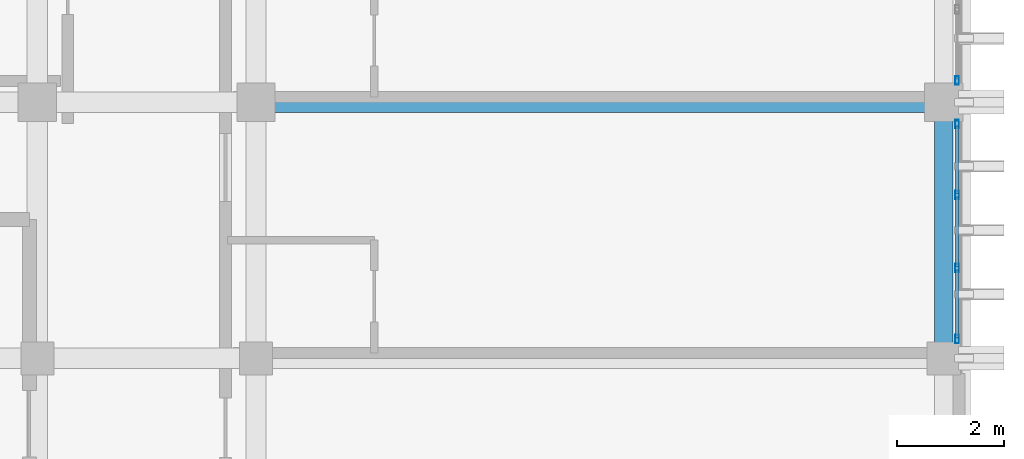
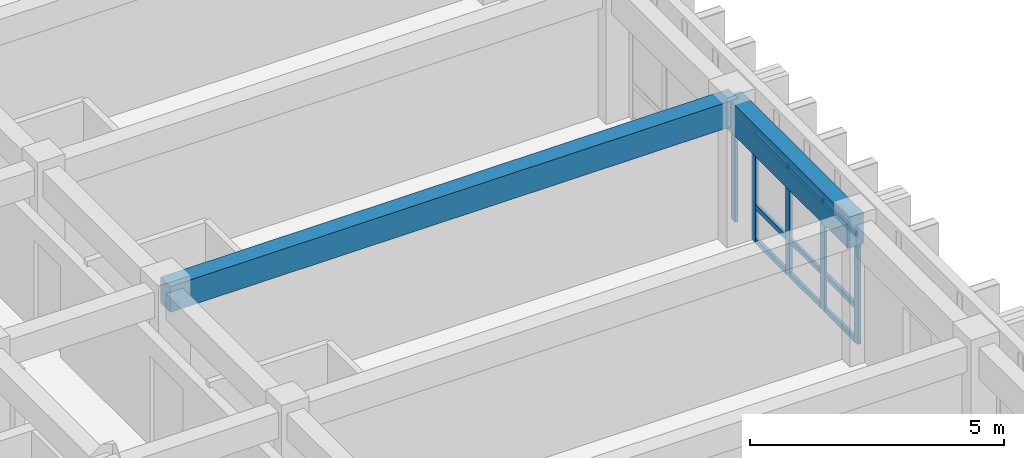
# One storey, part 29 of 59: 14 members, 2 beams, 2 elements without a shape of their own.
"""IFC4 building model written with IfcOpenShell, lengths in metres."""

from ifc_helpers import new_model, si_unit, direction, frame, origin, origin_2d, place, context, subcontext, project, spatial, rectangle, hollow_rectangle, extrude, material, layer, layer_set, material_profile, profile_set, type_object, element, aggregate, save


model = new_model("IFC4")

# Units and contexts
model_context = context("Model", 3, precision=1e-05, world=origin(), true_north=direction((0.0, 1.0)))
body_context = subcontext(model_context, "Body", "Model", "MODEL_VIEW")
ifc_project = project(units=[si_unit("LENGTHUNIT", "METRE"), si_unit("AREAUNIT", "SQUARE_METRE"), si_unit("VOLUMEUNIT", "CUBIC_METRE"), si_unit("PLANEANGLEUNIT", "RADIAN"), si_unit("MASSUNIT", "GRAM", prefix="KILO")], contexts=[model_context])

# Site, building, storey
site_placement = place(None, origin())
site = spatial("IfcSite", under=ifc_project, at=site_placement, CompositionType="ELEMENT")
building_placement = place(site_placement, origin())
building = spatial("IfcBuilding", under=site, at=building_placement, Name="Nakhvara Creek Congress Hotel", CompositionType="ELEMENT")
storey_placement = place(building_placement, frame((0.0, 0.0, 31.800048828125)))
storey = spatial("IfcBuildingStorey", under=building, at=storey_placement, Name="L07", CompositionType="ELEMENT", Elevation=31.800048828125)

# Beams
ifc_material_1 = material(Name="Concrete C40/50", Category="concrete")
ifc_material_profile_1 = material_profile(ifc_material_1, rectangle(XDim=0.3798828125, YDim=0.6201171875, at=origin_2d()), Name="RC-BM 380x620", Category="LoadBearing")
ifc_profile_set_1 = profile_set([ifc_material_profile_1], Name="Concrete C40/50")
beam_type_1 = type_object("IfcBeamType", Name="BM-RC-380X620", PredefinedType="BEAM", material=ifc_profile_set_1)
beam_1_placement = place(storey_placement, frame((166.449951171875, 96.0, 3.050048828125), z_axis=(1.0, 0.0, 0.0), x_axis=(0.0, 1.0, 0.0)))
element("IfcBeam", 1, at=beam_1_placement, inside=storey, type_object=beam_type_1, Name="Beam B10-L07-2380", PredefinedType="BEAM", context=body_context, shape_type="SweptSolid", body=[
    extrude(rectangle(XDim=0.3798828125, YDim=0.6201171875, at=origin_2d()), origin(), (0.0, 0.0, 1.0), 12.900146484375),
])
ifc_material_profile_2 = material_profile(ifc_material_1, rectangle(XDim=0.35009765625, YDim=0.75, at=origin_2d()), Name="RC-SPANDREL 350x750", Category="LoadBearing")
ifc_profile_set_2 = profile_set([ifc_material_profile_2], Name="Concrete C40/50")
beam_type_2 = type_object("IfcBeamType", Name="BM-SPN-350X750", PredefinedType="SPANDREL", material=ifc_profile_set_2)
beam_2_placement = place(storey_placement, frame((179.35009765625, 91.199951171875, 2.98486328125), z_axis=(0.0, 1.0, 0.0), x_axis=(-1.0, 0.0, 0.0)))
element("IfcBeam", 2, at=beam_2_placement, inside=storey, type_object=beam_type_2, Name="Beam SP1-L07-2400", PredefinedType="SPANDREL", context=body_context, shape_type="SweptSolid", body=[
    extrude(rectangle(XDim=0.35009765625, YDim=0.75, at=origin_2d()), origin(), (0.0, 0.0, 1.0), 4.800048828125),
])

# Curtain wall, members
ifc_material_2 = material(Name="Bronze-anodised aluminium AW-6063-T6 and double-silver low-E glass", Category="aluminium")
ifc_layer = layer(ifc_material_2, 0.199951171875)
ifc_layer_set = layer_set([ifc_layer], Name="Bronze-anodised aluminium AW-6063-T6 and double-silver low-E glass")
curtain_wall_type = type_object("IfcCurtainWallType", Name="CW-HTL-UNIT", PredefinedType="USERDEFINED", material=ifc_layer_set)
curtain_wall_1_placement = place(storey_placement, origin())
curtain_wall_1 = element("IfcCurtainWall", 3, at=curtain_wall_1_placement, inside=storey, type_object=curtain_wall_type, Name="Curtain Wall CW265", ObjectType="UNITISED", PredefinedType="USERDEFINED")
ifc_material_3 = material(Name="Bronze-anodised aluminium AW-6063-T6", Category="aluminium")
ifc_material_profile_3 = material_profile(ifc_material_3, hollow_rectangle(XDim=0.06494140625, YDim=0.159912109375, WallThickness=0.00390625, at=origin_2d()), Name="ALU-MULL 65x160x4", Category="LoadBearing")
ifc_profile_set_3 = profile_set([ifc_material_profile_3], Name="Bronze-anodised aluminium AW-6063-T6")
member_type_1 = type_object("IfcMemberType", Name="CW-MULL-160", PredefinedType="MULLION", material=ifc_profile_set_3)
member_1_placement = place(storey_placement, frame((179.60009765625, 95.592529296875, 0.0), z_axis=(0.0, 0.0, 1.0), x_axis=(1.0, 0.0, 0.0)))
member_1 = element("IfcMember", 4, at=member_1_placement, type_object=member_type_1, Name="CW265 mullion 1", PredefinedType="MULLION", context=body_context, shape_type="SweptSolid", body=[
    extrude(hollow_rectangle(XDim=0.06494140625, YDim=0.159912109375, WallThickness=0.00390625, at=origin_2d()), origin(), (0.0, 0.0, 1.0), 2.60205078125),
])
member_2_placement = place(storey_placement, frame((179.60009765625, 94.25830078125, 0.0), z_axis=(0.0, 0.0, 1.0), x_axis=(1.0, 0.0, 0.0)))
member_2 = element("IfcMember", 5, at=member_2_placement, type_object=member_type_1, Name="CW265 mullion 2", PredefinedType="MULLION", context=body_context, shape_type="SweptSolid", body=[
    extrude(hollow_rectangle(XDim=0.06494140625, YDim=0.159912109375, WallThickness=0.00390625, at=origin_2d()), origin(), (0.0, 0.0, 1.0), 2.60205078125),
])
member_3_placement = place(storey_placement, frame((179.60009765625, 92.8916015625, 0.0), z_axis=(0.0, 0.0, 1.0), x_axis=(1.0, 0.0, 0.0)))
member_3 = element("IfcMember", 6, at=member_3_placement, type_object=member_type_1, Name="CW265 mullion 3", PredefinedType="MULLION", context=body_context, shape_type="SweptSolid", body=[
    extrude(hollow_rectangle(XDim=0.06494140625, YDim=0.159912109375, WallThickness=0.00390625, at=origin_2d()), origin(), (0.0, 0.0, 1.0), 2.60205078125),
])
member_4_placement = place(storey_placement, frame((179.60009765625, 91.5576171875, 0.0), z_axis=(0.0, 0.0, 1.0), x_axis=(1.0, 0.0, 0.0)))
member_4 = element("IfcMember", 7, at=member_4_placement, type_object=member_type_1, Name="CW265 mullion 4", PredefinedType="MULLION", context=body_context, shape_type="SweptSolid", body=[
    extrude(hollow_rectangle(XDim=0.06494140625, YDim=0.159912109375, WallThickness=0.00390625, at=origin_2d()), origin(), (0.0, 0.0, 1.0), 2.60205078125),
])

# Curtain wall, member
curtain_wall_2_placement = place(storey_placement, origin())
curtain_wall_2 = element("IfcCurtainWall", 8, at=curtain_wall_2_placement, inside=storey, type_object=curtain_wall_type, Name="Curtain Wall CW267", ObjectType="UNITISED", PredefinedType="USERDEFINED")
member_5_placement = place(storey_placement, frame((179.60009765625, 96.407470703125, 0.0), z_axis=(0.0, 0.0, 1.0), x_axis=(1.0, 0.0, 0.0)))
member_5 = element("IfcMember", 9, at=member_5_placement, type_object=member_type_1, Name="CW267 mullion 4", PredefinedType="MULLION", context=body_context, shape_type="SweptSolid", body=[
    extrude(hollow_rectangle(XDim=0.06494140625, YDim=0.159912109375, WallThickness=0.00390625, at=origin_2d()), origin(), (0.0, 0.0, 1.0), 2.60205078125),
])
aggregate(curtain_wall_2, [member_5])

# Member
ifc_material_profile_4 = material_profile(ifc_material_3, hollow_rectangle(XDim=0.06494140625, YDim=0.1201171875, WallThickness=0.00390625, at=origin_2d()), Name="ALU-TRAN 65x120x4", Category="LoadBearing")
ifc_profile_set_4 = profile_set([ifc_material_profile_4], Name="Bronze-anodised aluminium AW-6063-T6")
member_type_2 = type_object("IfcMemberType", Name="CW-TRAN-120", PredefinedType="USERDEFINED", material=ifc_profile_set_4)
member_6_placement = place(storey_placement, frame((179.60009765625, 95.56005859375, 0.032470703125), z_axis=(0.0, -1.0, 0.0), x_axis=(1.0, 0.0, 0.0)))
member_6 = element("IfcMember", 10, at=member_6_placement, type_object=member_type_2, Name="CW265 transom 1.1", ObjectType="TRANSOM", PredefinedType="USERDEFINED", context=body_context, shape_type="SweptSolid", body=[
    extrude(hollow_rectangle(XDim=0.06494140625, YDim=0.1201171875, WallThickness=0.00390625, at=origin_2d()), origin(), (0.0, 0.0, 1.0), 1.269287109375),
])

member_7_placement = place(storey_placement, frame((179.60009765625, 95.56005859375, 0.849853515625), z_axis=(0.0, -1.0, 0.0), x_axis=(1.0, 0.0, 0.0)))
member_7 = element("IfcMember", 11, at=member_7_placement, type_object=member_type_2, Name="CW265 transom 1.2", ObjectType="TRANSOM", PredefinedType="USERDEFINED", context=body_context, shape_type="SweptSolid", body=[
    extrude(hollow_rectangle(XDim=0.06494140625, YDim=0.1201171875, WallThickness=0.00390625, at=origin_2d()), origin(), (0.0, 0.0, 1.0), 1.269287109375),
])

member_8_placement = place(storey_placement, frame((179.60009765625, 95.56005859375, 2.5693359375), z_axis=(0.0, -1.0, 0.0), x_axis=(1.0, 0.0, 0.0)))
member_8 = element("IfcMember", 12, at=member_8_placement, type_object=member_type_2, Name="CW265 transom 1.3", ObjectType="TRANSOM", PredefinedType="USERDEFINED", context=body_context, shape_type="SweptSolid", body=[
    extrude(hollow_rectangle(XDim=0.06494140625, YDim=0.1201171875, WallThickness=0.00390625, at=origin_2d()), origin(), (0.0, 0.0, 1.0), 1.269287109375),
])

member_9_placement = place(storey_placement, frame((179.60009765625, 94.225830078125, 0.032470703125), z_axis=(0.0, -1.0, 0.0), x_axis=(1.0, 0.0, 0.0)))
member_9 = element("IfcMember", 13, at=member_9_placement, type_object=member_type_2, Name="CW265 transom 2.1", ObjectType="TRANSOM", PredefinedType="USERDEFINED", context=body_context, shape_type="SweptSolid", body=[
    extrude(hollow_rectangle(XDim=0.06494140625, YDim=0.1201171875, WallThickness=0.00390625, at=origin_2d()), origin(), (0.0, 0.0, 1.0), 1.3017578125),
])

member_10_placement = place(storey_placement, frame((179.60009765625, 94.225830078125, 0.849853515625), z_axis=(0.0, -1.0, 0.0), x_axis=(1.0, 0.0, 0.0)))
member_10 = element("IfcMember", 14, at=member_10_placement, type_object=member_type_2, Name="CW265 transom 2.2", ObjectType="TRANSOM", PredefinedType="USERDEFINED", context=body_context, shape_type="SweptSolid", body=[
    extrude(hollow_rectangle(XDim=0.06494140625, YDim=0.1201171875, WallThickness=0.00390625, at=origin_2d()), origin(), (0.0, 0.0, 1.0), 1.3017578125),
])

member_11_placement = place(storey_placement, frame((179.60009765625, 94.225830078125, 2.5693359375), z_axis=(0.0, -1.0, 0.0), x_axis=(1.0, 0.0, 0.0)))
member_11 = element("IfcMember", 15, at=member_11_placement, type_object=member_type_2, Name="CW265 transom 2.3", ObjectType="TRANSOM", PredefinedType="USERDEFINED", context=body_context, shape_type="SweptSolid", body=[
    extrude(hollow_rectangle(XDim=0.06494140625, YDim=0.1201171875, WallThickness=0.00390625, at=origin_2d()), origin(), (0.0, 0.0, 1.0), 1.3017578125),
])

member_12_placement = place(storey_placement, frame((179.60009765625, 92.859130859375, 0.032470703125), z_axis=(0.0, -1.0, 0.0), x_axis=(1.0, 0.0, 0.0)))
member_12 = element("IfcMember", 16, at=member_12_placement, type_object=member_type_2, Name="CW265 transom 3.1", ObjectType="TRANSOM", PredefinedType="USERDEFINED", context=body_context, shape_type="SweptSolid", body=[
    extrude(hollow_rectangle(XDim=0.06494140625, YDim=0.1201171875, WallThickness=0.00390625, at=origin_2d()), origin(), (0.0, 0.0, 1.0), 1.26904296875),
])

member_13_placement = place(storey_placement, frame((179.60009765625, 92.859130859375, 0.849853515625), z_axis=(0.0, -1.0, 0.0), x_axis=(1.0, 0.0, 0.0)))
member_13 = element("IfcMember", 17, at=member_13_placement, type_object=member_type_2, Name="CW265 transom 3.2", ObjectType="TRANSOM", PredefinedType="USERDEFINED", context=body_context, shape_type="SweptSolid", body=[
    extrude(hollow_rectangle(XDim=0.06494140625, YDim=0.1201171875, WallThickness=0.00390625, at=origin_2d()), origin(), (0.0, 0.0, 1.0), 1.26904296875),
])

member_14_placement = place(storey_placement, frame((179.60009765625, 92.859130859375, 2.5693359375), z_axis=(0.0, -1.0, 0.0), x_axis=(1.0, 0.0, 0.0)))
member_14 = element("IfcMember", 18, at=member_14_placement, type_object=member_type_2, Name="CW265 transom 3.3", ObjectType="TRANSOM", PredefinedType="USERDEFINED", context=body_context, shape_type="SweptSolid", body=[
    extrude(hollow_rectangle(XDim=0.06494140625, YDim=0.1201171875, WallThickness=0.00390625, at=origin_2d()), origin(), (0.0, 0.0, 1.0), 1.26904296875),
])

aggregate(curtain_wall_1, [member_1, member_2, member_3, member_4, member_6, member_7, member_8, member_9, member_10, member_11, member_12, member_13, member_14])

save(model, "model.ifc")
